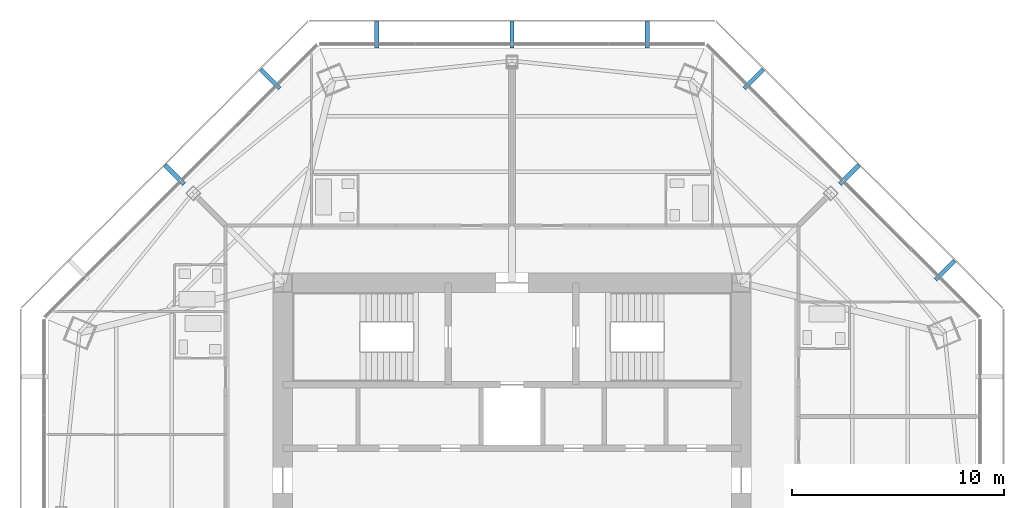
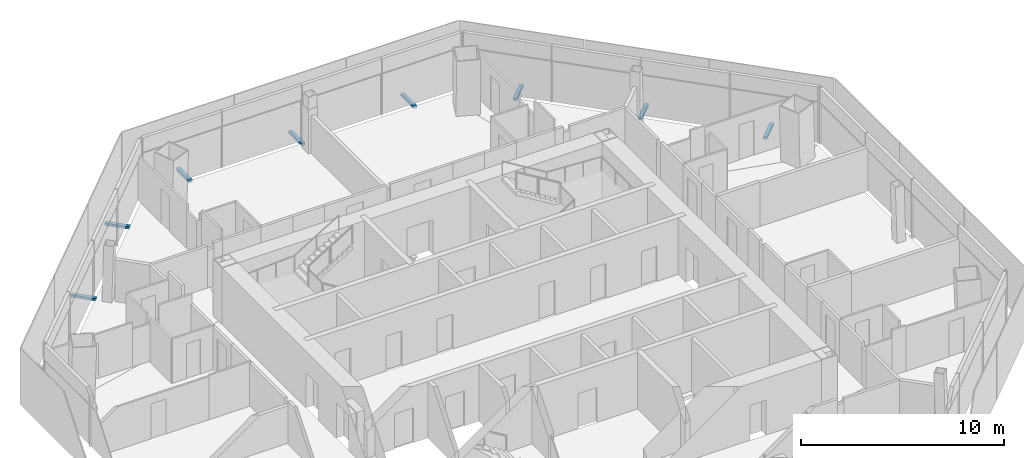
# One storey, part 13 of 15: 8 discrete accessories.
"""IFC4 building model written with IfcOpenShell, lengths in metres."""

from ifc_helpers import new_model, si_unit, direction, frame, origin, origin_2d, place, context, subcontext, project, spatial, rectangle, extrude, source, transform, mapped, material, type_object, type_shapes, element, save


model = new_model("IFC4")

# Units and contexts
model_context = context("Model", 3, precision=1e-05, world=origin(), true_north=direction((0.0, 1.0)))
body_context = subcontext(model_context, "Body", "Model", "MODEL_VIEW")
ifc_project = project(units=[si_unit("LENGTHUNIT", "METRE"), si_unit("AREAUNIT", "SQUARE_METRE"), si_unit("VOLUMEUNIT", "CUBIC_METRE"), si_unit("PLANEANGLEUNIT", "RADIAN"), si_unit("MASSUNIT", "GRAM", prefix="KILO")], contexts=[model_context])

# Site, building, storey
site_placement = place(None, origin())
site = spatial("IfcSite", under=ifc_project, at=site_placement, CompositionType="ELEMENT")
building_placement = place(site_placement, origin())
building = spatial("IfcBuilding", under=site, at=building_placement, Name="Mashrafa Tower", CompositionType="ELEMENT")
storey_placement = place(building_placement, frame((0.0, 0.0, 210.800048828125)))
storey = spatial("IfcBuildingStorey", under=building, at=storey_placement, Name="L48", CompositionType="ELEMENT", Elevation=210.800048828125)

# Discrete accessories
ifc_material = material(Name="Stainless steel screen bracket", Category="steel")
discrete_accessory_type = type_object("IfcDiscreteAccessoryType", Name="Screen support bracket 200 x 150", PredefinedType="BRACKET", material=ifc_material)
shared_shape = source(origin(), body_context, "Body", "SweptSolid", [
    extrude(rectangle(XDim=0.199951171875, YDim=1.27001953125, at=origin_2d()), origin(), (0.0, 0.0, 1.0), 0.14990234375),
])
type_shapes(discrete_accessory_type, [shared_shape])
for number, where, z_axis, x_axis, name in (
    (1, (20.410400390625, 11.390380859375, -0.14990234375), (0.0, 0.0, 1.0), (-0.707106781187, 0.707106781187, 0.0), "Screen support bracket L48 north-east 1"),
    (2, (15.900390625, 15.900390625, -0.14990234375), (0.0, 0.0, 1.0), (-0.707106781187, 0.707106781187, 0.0), "Screen support bracket L48 north-east 2"),
    (3, (11.390380859375, 20.410400390625, -0.14990234375), (0.0, 0.0, 1.0), (-0.707106781187, 0.707106781187, 0.0), "Screen support bracket L48 north-east 3"),
    (4, (6.378173828125, 22.486572265625, -0.14990234375), (0.0, 0.0, 1.0), (-1.0, 0.0, 0.0), "Screen support bracket L48 north 1"),
    (5, (0.0, 22.486572265625, -0.14990234375), (0.0, 0.0, 1.0), (-1.0, 0.0, 0.0), "Screen support bracket L48 north 2"),
    (6, (-6.378173828125, 22.486572265625, -0.14990234375), (0.0, 0.0, 1.0), (-1.0, 0.0, 0.0), "Screen support bracket L48 north 3"),
    (7, (-11.390380859375, 20.410400390625, -0.14990234375), (0.0, 0.0, 1.0), (-0.707106781187, -0.707106781187, 0.0), "Screen support bracket L48 north-west 1"),
    (8, (-15.900390625, 15.900390625, -0.14990234375), (0.0, 0.0, 1.0), (-0.707106781187, -0.707106781187, 0.0), "Screen support bracket L48 north-west 2"),
):
    element("IfcDiscreteAccessory", number, at=place(storey_placement, frame(where, z_axis=z_axis, x_axis=x_axis)), inside=storey, type_object=discrete_accessory_type, Name=name, PredefinedType="BRACKET", context=body_context, shape_type="MappedRepresentation", body=[
        mapped(shared_shape, transform((0.0, 0.0, 0.0))),
    ])

save(model, "model.ifc")
